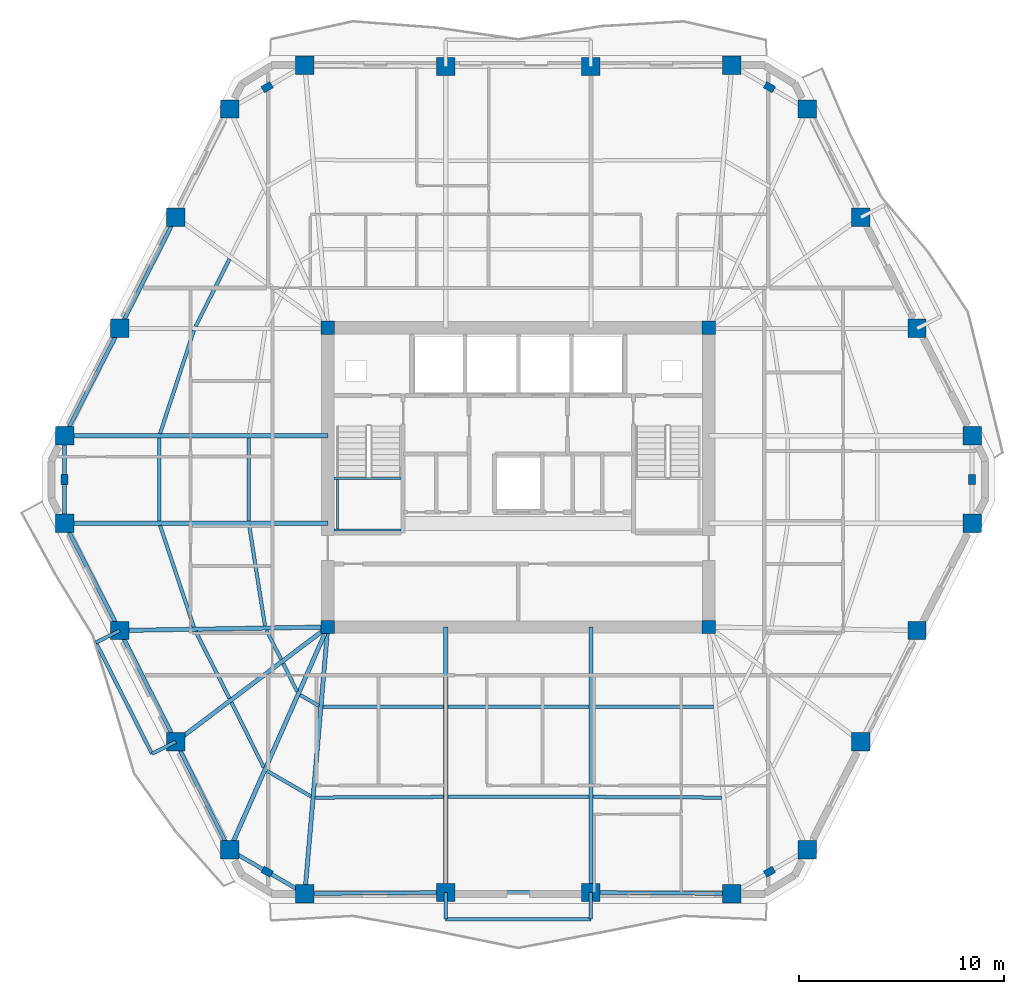
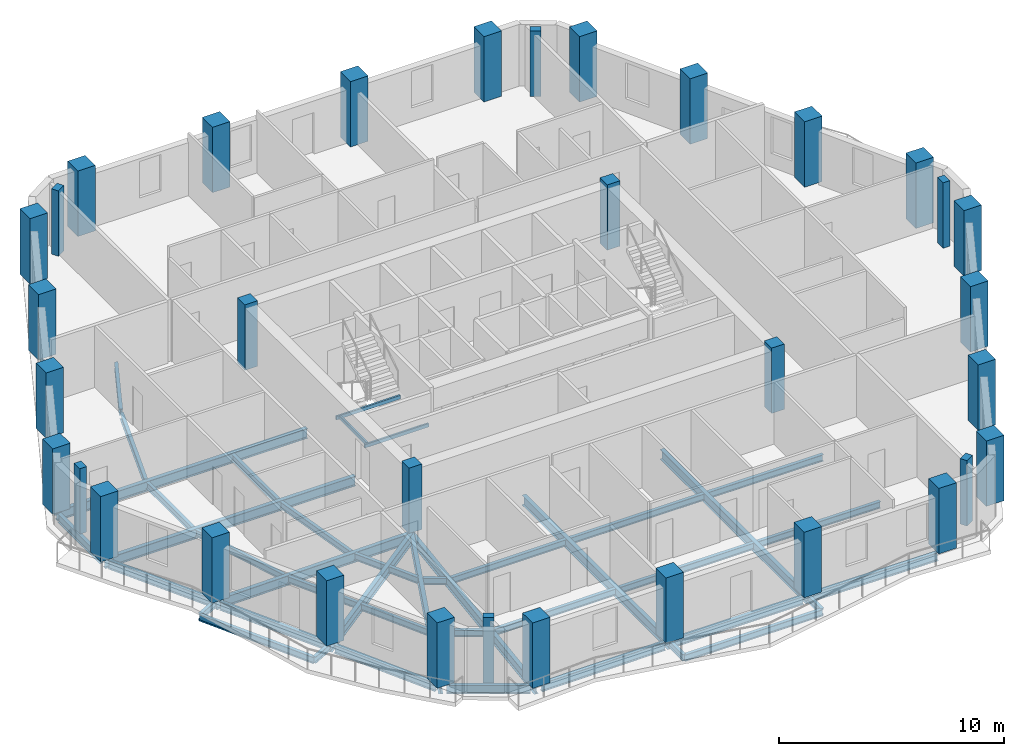
# One storey, part 1 of 11: 45 beams, 34 columns.
"""IFC4 building model written with IfcOpenShell, lengths in metres."""

from ifc_helpers import new_model, si_unit, direction, frame, origin, origin_2d, place, context, subcontext, project, spatial, rectangle, hollow_rectangle, i_section, extrude, material, material_profile, profile_set, type_object, element, save


model = new_model("IFC4")

# Units and contexts
model_context = context("Model", 3, precision=1e-05, world=origin(), true_north=direction((0.0, 1.0)))
body_context = subcontext(model_context, "Body", "Model", "MODEL_VIEW")
ifc_project = project(units=[si_unit("LENGTHUNIT", "METRE"), si_unit("AREAUNIT", "SQUARE_METRE"), si_unit("VOLUMEUNIT", "CUBIC_METRE"), si_unit("PLANEANGLEUNIT", "RADIAN"), si_unit("MASSUNIT", "GRAM", prefix="KILO")], contexts=[model_context])

# Site, building, storey
site_placement = place(None, origin())
site = spatial("IfcSite", under=ifc_project, at=site_placement, CompositionType="ELEMENT")
building_placement = place(site_placement, origin())
building = spatial("IfcBuilding", under=site, at=building_placement, Name="Cinnabar Lancet Tower", CompositionType="ELEMENT")
storey_placement = place(building_placement, frame((0.0, 0.0, 179.0)))
storey = spatial("IfcBuildingStorey", under=building, at=storey_placement, Name="L47", CompositionType="ELEMENT", Elevation=179.0)

# Columns
ifc_material_1 = material(Name="Concrete C60/75", Category="concrete")
ifc_material_profile_1 = material_profile(ifc_material_1, rectangle(XDim=0.64990234375, YDim=0.64990234375, at=origin_2d()), Name="RC-COL 650x650")
ifc_profile_set_1 = profile_set([ifc_material_profile_1], Name="Concrete C60/75")
column_type_1 = type_object("IfcColumnType", Name="STR-COL-CORE-650", PredefinedType="COLUMN", material=ifc_profile_set_1)
for number, where, z_axis, x_axis, name in (
    (1, (23.10009765625, 18.60009765625, 0.0), (0.0, 0.0, 1.0), (1.0, 0.0, 0.0), "L47 Core Corner Column SW"),
    (2, (41.699951171875, 18.60009765625, 0.0), (0.0, 0.0, 1.0), (1.0, 0.0, 0.0), "L47 Core Corner Column SE"),
    (3, (41.699951171875, 33.199951171875, 0.0), (0.0, 0.0, 1.0), (1.0, 0.0, 0.0), "L47 Core Corner Column NE"),
    (4, (23.10009765625, 33.199951171875, 0.0), (0.0, 0.0, 1.0), (1.0, 0.0, 0.0), "L47 Core Corner Column NW"),
):
    element("IfcColumn", number, at=place(storey_placement, frame(where, z_axis=z_axis, x_axis=x_axis)), inside=storey, type_object=column_type_1, Name=name, PredefinedType="COLUMN", context=body_context, shape_type="SweptSolid", body=[
        extrude(rectangle(XDim=0.64990234375, YDim=0.64990234375, at=origin_2d()), origin(), (0.0, 0.0, 1.0), 3.550048828125),
    ])
ifc_material_2 = material(Name="Concrete C60/75", Category="concrete")
ifc_material_profile_2 = material_profile(ifc_material_2, rectangle(XDim=0.5, YDim=0.35009765625, at=origin_2d()), Name="RC-PIL 500x350")
ifc_profile_set_2 = profile_set([ifc_material_profile_2], Name="Concrete C60/75")
column_type_2 = type_object("IfcColumnType", Name="STR-COL-PIL-500", PredefinedType="PILASTER", material=ifc_profile_set_2)
for number, where, z_axis, x_axis, name in (
    (5, (20.14208984375, 6.654052734375, 0.0), (0.0, 0.0, 1.0), (0.865230187018, -0.501374833306, 0.0), "L47 Chamfered Corner Pilaster 1"),
    (6, (44.657958984375, 6.654052734375, 0.0), (0.0, 0.0, 1.0), (0.865230187018, 0.501374833306, 0.0), "L47 Chamfered Corner Pilaster 2"),
    (7, (54.547119140625, 25.800048828125, 0.0), (0.0, 0.0, 1.0), (0.0, 1.0, 0.0), "L47 Chamfered Corner Pilaster 3"),
    (8, (44.657958984375, 44.947021484375, 0.0), (0.0, 0.0, 1.0), (-0.865230187018, 0.501374833306, 0.0), "L47 Chamfered Corner Pilaster 4"),
    (9, (20.14208984375, 44.947021484375, 0.0), (0.0, 0.0, 1.0), (-0.865230187018, -0.501374833306, 0.0), "L47 Chamfered Corner Pilaster 5"),
    (10, (10.2529296875, 25.800048828125, 0.0), (0.0, 0.0, 1.0), (0.0, -1.0, 0.0), "L47 Chamfered Corner Pilaster 6"),
):
    element("IfcColumn", number, at=place(storey_placement, frame(where, z_axis=z_axis, x_axis=x_axis)), inside=storey, type_object=column_type_2, Name=name, PredefinedType="PILASTER", context=body_context, shape_type="SweptSolid", body=[
        extrude(rectangle(XDim=0.5, YDim=0.35009765625, at=origin_2d()), origin(), (0.0, 0.0, 1.0), 3.550048828125),
    ])
ifc_material_3 = material(Name="Concrete C60/75", Category="concrete")
ifc_material_profile_3 = material_profile(ifc_material_3, rectangle(XDim=0.89990234375, YDim=0.89990234375, at=origin_2d()), Name="RC-COL 900x900")
ifc_profile_set_3 = profile_set([ifc_material_profile_3], Name="Concrete C60/75")
column_type_3 = type_object("IfcColumnType", Name="STR-COL-TUBE-900", PredefinedType="COLUMN", material=ifc_profile_set_3)
for number, where, z_axis, x_axis, name in (
    (11, (21.97900390625, 5.589111328125, 0.0), (0.0, 0.0, 1.0), (1.0, 0.0, 0.0), "L47 Perimeter Tube Column 1"),
    (12, (28.85693359375, 5.64208984375, 0.0), (0.0, 0.0, 1.0), (1.0, 0.0, 0.0), "L47 Perimeter Tube Column 2"),
    (13, (35.943115234375, 5.64208984375, 0.0), (0.0, 0.0, 1.0), (1.0, 0.0, 0.0), "L47 Perimeter Tube Column 3"),
    (14, (42.821044921875, 5.589111328125, 0.0), (0.0, 0.0, 1.0), (1.0, 0.0, 0.0), "L47 Perimeter Tube Column 4"),
    (15, (46.4951171875, 7.718017578125, 0.0), (0.0, 0.0, 1.0), (1.0, 0.0, 0.0), "L47 Perimeter Tube Column 5"),
    (16, (49.118896484375, 13.0009765625, 0.0), (0.0, 0.0, 1.0), (1.0, 0.0, 0.0), "L47 Perimeter Tube Column 6"),
    (17, (51.85791015625, 18.428955078125, 0.0), (0.0, 0.0, 1.0), (1.0, 0.0, 0.0), "L47 Perimeter Tube Column 7"),
    (18, (54.547119140625, 23.66796875, 0.0), (0.0, 0.0, 1.0), (1.0, 0.0, 0.0), "L47 Perimeter Tube Column 8"),
    (19, (54.547119140625, 27.931884765625, 0.0), (0.0, 0.0, 1.0), (1.0, 0.0, 0.0), "L47 Perimeter Tube Column 9"),
    (20, (51.85791015625, 33.1708984375, 0.0), (0.0, 0.0, 1.0), (1.0, 0.0, 0.0), "L47 Perimeter Tube Column 10"),
    (21, (49.118896484375, 38.59912109375, 0.0), (0.0, 0.0, 1.0), (1.0, 0.0, 0.0), "L47 Perimeter Tube Column 11"),
    (22, (46.4951171875, 43.882080078125, 0.0), (0.0, 0.0, 1.0), (1.0, 0.0, 0.0), "L47 Perimeter Tube Column 12"),
    (23, (42.821044921875, 46.010986328125, 0.0), (0.0, 0.0, 1.0), (1.0, 0.0, 0.0), "L47 Perimeter Tube Column 13"),
    (24, (35.943115234375, 45.9580078125, 0.0), (0.0, 0.0, 1.0), (1.0, 0.0, 0.0), "L47 Perimeter Tube Column 14"),
    (25, (28.85693359375, 45.9580078125, 0.0), (0.0, 0.0, 1.0), (1.0, 0.0, 0.0), "L47 Perimeter Tube Column 15"),
    (26, (21.97900390625, 46.010986328125, 0.0), (0.0, 0.0, 1.0), (1.0, 0.0, 0.0), "L47 Perimeter Tube Column 16"),
    (27, (18.304931640625, 43.882080078125, 0.0), (0.0, 0.0, 1.0), (1.0, 0.0, 0.0), "L47 Perimeter Tube Column 17"),
    (28, (15.680908203125, 38.59912109375, 0.0), (0.0, 0.0, 1.0), (1.0, 0.0, 0.0), "L47 Perimeter Tube Column 18"),
    (29, (12.94189453125, 33.1708984375, 0.0), (0.0, 0.0, 1.0), (1.0, 0.0, 0.0), "L47 Perimeter Tube Column 19"),
    (30, (10.2529296875, 27.931884765625, 0.0), (0.0, 0.0, 1.0), (1.0, 0.0, 0.0), "L47 Perimeter Tube Column 20"),
    (31, (10.2529296875, 23.66796875, 0.0), (0.0, 0.0, 1.0), (1.0, 0.0, 0.0), "L47 Perimeter Tube Column 21"),
    (32, (12.94189453125, 18.428955078125, 0.0), (0.0, 0.0, 1.0), (1.0, 0.0, 0.0), "L47 Perimeter Tube Column 22"),
    (33, (15.680908203125, 13.0009765625, 0.0), (0.0, 0.0, 1.0), (1.0, 0.0, 0.0), "L47 Perimeter Tube Column 23"),
    (34, (18.304931640625, 7.718017578125, 0.0), (0.0, 0.0, 1.0), (1.0, 0.0, 0.0), "L47 Perimeter Tube Column 24"),
):
    element("IfcColumn", number, at=place(storey_placement, frame(where, z_axis=z_axis, x_axis=x_axis)), inside=storey, type_object=column_type_3, Name=name, PredefinedType="COLUMN", context=body_context, shape_type="SweptSolid", body=[
        extrude(rectangle(XDim=0.89990234375, YDim=0.89990234375, at=origin_2d()), origin(), (0.0, 0.0, 1.0), 3.550048828125),
    ])

# Beams
ifc_material_4 = material(Name="Structural steel S355", Category="steel")
ifc_material_profile_4 = material_profile(ifc_material_4, i_section(OverallWidth=0.17138671875, OverallDepth=0.35498046875, WebThickness=0.00732421875, FlangeThickness=0.011474609375, FilletRadius=0.01025390625, at=origin_2d()), Name="UKB 356x171x51")
ifc_profile_set_4 = profile_set([ifc_material_profile_4], Name="Structural steel S355")
beam_type_1 = type_object("IfcBeamType", Name="STR-BM-JST-356", PredefinedType="JOIST", material=ifc_profile_set_4)
beam_1_placement = place(storey_placement, frame((14.9130859375, 23.56298828125, -0.376953125), z_axis=(0.315346227037, -0.948976689436, 0.0), x_axis=(0.948976689436, 0.315346227037, 0.0)))
element("IfcBeam", 35, at=beam_1_placement, inside=storey, type_object=beam_type_1, Name="L47 Secondary Floor Joist 1", PredefinedType="JOIST", context=body_context, shape_type="SweptSolid", body=[
    extrude(i_section(OverallWidth=0.17138671875, OverallDepth=0.35498046875, WebThickness=0.00732421875, FlangeThickness=0.011474609375, FilletRadius=0.01025390625, at=origin_2d()), origin(), (0.0, 0.0, 1.0), 5.235107421875),
])
beam_2_placement = place(storey_placement, frame((19.261962890625, 23.56298828125, -0.376953125), z_axis=(0.155702775827, -0.987803950994, 0.0), x_axis=(0.987803950994, 0.155702775827, 0.0)))
element("IfcBeam", 36, at=beam_2_placement, inside=storey, type_object=beam_type_1, Name="L47 Secondary Floor Joist 2", PredefinedType="JOIST", context=body_context, shape_type="SweptSolid", body=[
    extrude(i_section(OverallWidth=0.17138671875, OverallDepth=0.35498046875, WebThickness=0.00732421875, FlangeThickness=0.011474609375, FilletRadius=0.01025390625, at=origin_2d()), origin(), (0.0, 0.0, 1.0), 4.970458984375),
])
beam_3_placement = place(storey_placement, frame((16.65087890625, 18.386962890625, -0.376953125), z_axis=(0.45061776862, -0.892716991327, 0.0), x_axis=(0.892716991327, 0.45061776862, 0.0)))
element("IfcBeam", 37, at=beam_3_placement, inside=storey, type_object=beam_type_1, Name="L47 Secondary Floor Joist 3", PredefinedType="JOIST", context=body_context, shape_type="SweptSolid", body=[
    extrude(i_section(OverallWidth=0.17138671875, OverallDepth=0.35498046875, WebThickness=0.00732421875, FlangeThickness=0.011474609375, FilletRadius=0.01025390625, at=origin_2d()), origin(), (0.0, 0.0, 1.0), 3.66845703125),
])
beam_4_placement = place(storey_placement, frame((20.10498046875, 18.445068359375, -0.376953125), z_axis=(0.450137936259, -0.892959035085, 0.0), x_axis=(0.892959035085, 0.450137936259, 0.0)))
element("IfcBeam", 38, at=beam_4_placement, inside=storey, type_object=beam_type_1, Name="L47 Secondary Floor Joist 4", PredefinedType="JOIST", context=body_context, shape_type="SweptSolid", body=[
    extrude(i_section(OverallWidth=0.17138671875, OverallDepth=0.35498046875, WebThickness=0.00732421875, FlangeThickness=0.011474609375, FilletRadius=0.01025390625, at=origin_2d()), origin(), (0.0, 0.0, 1.0), 1.6015625),
])
beam_5_placement = place(storey_placement, frame((18.39892578125, 14.9208984375, -0.376953125), z_axis=(0.445083338565, -0.895489152214, 0.0), x_axis=(0.895489152214, 0.445083338565, 0.0)))
element("IfcBeam", 39, at=beam_5_placement, inside=storey, type_object=beam_type_1, Name="L47 Secondary Floor Joist 5", PredefinedType="JOIST", context=body_context, shape_type="SweptSolid", body=[
    extrude(i_section(OverallWidth=0.17138671875, OverallDepth=0.35498046875, WebThickness=0.00732421875, FlangeThickness=0.011474609375, FilletRadius=0.01025390625, at=origin_2d()), origin(), (0.0, 0.0, 1.0), 3.531982421875),
])
beam_6_placement = place(storey_placement, frame((20.922119140625, 16.824951171875, -0.376953125), z_axis=(0.444589856968, -0.895734256954, 0.0), x_axis=(0.895734256954, 0.444589856968, 0.0)))
element("IfcBeam", 40, at=beam_6_placement, inside=storey, type_object=beam_type_1, Name="L47 Secondary Floor Joist 6", PredefinedType="JOIST", context=body_context, shape_type="SweptSolid", body=[
    extrude(i_section(OverallWidth=0.17138671875, OverallDepth=0.35498046875, WebThickness=0.00732421875, FlangeThickness=0.011474609375, FilletRadius=0.01025390625, at=origin_2d()), origin(), (0.0, 0.0, 1.0), 1.527099609375),
])
beam_7_placement = place(storey_placement, frame((20.1220703125, 11.5830078125, -0.376953125), z_axis=(0.865267839663, -0.501309849937, 0.0), x_axis=(0.501309849937, 0.865267839663, 0.0)))
element("IfcBeam", 41, at=beam_7_placement, inside=storey, type_object=beam_type_1, Name="L47 Secondary Floor Joist 7", PredefinedType="JOIST", context=body_context, shape_type="SweptSolid", body=[
    extrude(i_section(OverallWidth=0.17138671875, OverallDepth=0.35498046875, WebThickness=0.00732421875, FlangeThickness=0.011474609375, FilletRadius=0.01025390625, at=origin_2d()), origin(), (0.0, 0.0, 1.0), 2.497314453125),
])
beam_8_placement = place(storey_placement, frame((21.7529296875, 15.282958984375, -0.376953125), z_axis=(0.8651881055, -0.501447446998, 0.0), x_axis=(0.501447446998, 0.8651881055, 0.0)))
element("IfcBeam", 42, at=beam_8_placement, inside=storey, type_object=beam_type_1, Name="L47 Secondary Floor Joist 8", PredefinedType="JOIST", context=body_context, shape_type="SweptSolid", body=[
    extrude(i_section(OverallWidth=0.17138671875, OverallDepth=0.35498046875, WebThickness=0.00732421875, FlangeThickness=0.011474609375, FilletRadius=0.01025390625, at=origin_2d()), origin(), (0.0, 0.0, 1.0), 1.05322265625),
])
beam_9_placement = place(storey_placement, frame((22.488037109375, 10.27392578125, -0.376953125), z_axis=(0.999986965561, 0.005105752523, 0.0), x_axis=(-0.005105752523, 0.999986965561, 0.0)))
element("IfcBeam", 43, at=beam_9_placement, inside=storey, type_object=beam_type_1, Name="L47 Secondary Floor Joist 9", PredefinedType="JOIST", context=body_context, shape_type="SweptSolid", body=[
    extrude(i_section(OverallWidth=0.17138671875, OverallDepth=0.35498046875, WebThickness=0.00732421875, FlangeThickness=0.011474609375, FilletRadius=0.01025390625, at=origin_2d()), origin(), (0.0, 0.0, 1.0), 6.263916015625),
])
beam_10_placement = place(storey_placement, frame((22.868896484375, 14.697021484375, -0.376953125), z_axis=(0.999996795933, 0.002531427338, 0.0), x_axis=(-0.002531427338, 0.999996795933, 0.0)))
element("IfcBeam", 44, at=beam_10_placement, inside=storey, type_object=beam_type_1, Name="L47 Secondary Floor Joist 10", PredefinedType="JOIST", context=body_context, shape_type="SweptSolid", body=[
    extrude(i_section(OverallWidth=0.17138671875, OverallDepth=0.35498046875, WebThickness=0.00732421875, FlangeThickness=0.011474609375, FilletRadius=0.01025390625, at=origin_2d()), origin(), (0.0, 0.0, 1.0), 5.883056640625),
])
for number, where, z_axis, x_axis, name in (
    (45, (28.9619140625, 10.306884765625, -0.376953125), (1.0, 0.0, 0.0), (0.0, 1.0, 0.0), "L47 Secondary Floor Joist 11"),
    (46, (28.9619140625, 14.712890625, -0.376953125), (1.0, 0.0, 0.0), (0.0, 1.0, 0.0), "L47 Secondary Floor Joist 12"),
):
    element("IfcBeam", number, at=place(storey_placement, frame(where, z_axis=z_axis, x_axis=x_axis)), inside=storey, type_object=beam_type_1, Name=name, PredefinedType="JOIST", context=body_context, shape_type="SweptSolid", body=[
        extrude(i_section(OverallWidth=0.17138671875, OverallDepth=0.35498046875, WebThickness=0.00732421875, FlangeThickness=0.011474609375, FilletRadius=0.01025390625, at=origin_2d()), origin(), (0.0, 0.0, 1.0), 6.8759765625),
    ])
beam_11_placement = place(storey_placement, frame((36.048095703125, 10.305908203125, -0.376953125), z_axis=(0.999986965561, -0.005105752523, 0.0), x_axis=(0.005105752523, 0.999986965561, 0.0)))
element("IfcBeam", 47, at=beam_11_placement, inside=storey, type_object=beam_type_1, Name="L47 Secondary Floor Joist 13", PredefinedType="JOIST", context=body_context, shape_type="SweptSolid", body=[
    extrude(i_section(OverallWidth=0.17138671875, OverallDepth=0.35498046875, WebThickness=0.00732421875, FlangeThickness=0.011474609375, FilletRadius=0.01025390625, at=origin_2d()), origin(), (0.0, 0.0, 1.0), 6.263916015625),
])
beam_12_placement = place(storey_placement, frame((36.048095703125, 14.7119140625, -0.376953125), z_axis=(0.999996795667, -0.002531532393, 0.0), x_axis=(0.002531532393, 0.999996795667, 0.0)))
element("IfcBeam", 48, at=beam_12_placement, inside=storey, type_object=beam_type_1, Name="L47 Secondary Floor Joist 14", PredefinedType="JOIST", context=body_context, shape_type="SweptSolid", body=[
    extrude(i_section(OverallWidth=0.17138671875, OverallDepth=0.35498046875, WebThickness=0.00732421875, FlangeThickness=0.011474609375, FilletRadius=0.01025390625, at=origin_2d()), origin(), (0.0, 0.0, 1.0), 5.8828125),
])
beam_13_placement = place(storey_placement, frame((18.303955078125, 36.56103515625, -0.376953125), z_axis=(-0.449230875134, -0.893415704376, 0.0), x_axis=(0.893415704376, -0.449230875134, 0.0)))
element("IfcBeam", 49, at=beam_13_placement, inside=storey, type_object=beam_type_1, Name="L47 Secondary Floor Joist 43", PredefinedType="JOIST", context=body_context, shape_type="SweptSolid", body=[
    extrude(i_section(OverallWidth=0.17138671875, OverallDepth=0.35498046875, WebThickness=0.00732421875, FlangeThickness=0.011474609375, FilletRadius=0.01025390625, at=origin_2d()), origin(), (0.0, 0.0, 1.0), 3.677001953125),
])
beam_14_placement = place(storey_placement, frame((16.56494140625, 33.06591796875, -0.376953125), z_axis=(-0.312240109925, -0.95000321776, 0.0), x_axis=(0.95000321776, -0.312240109925, 0.0)))
element("IfcBeam", 50, at=beam_14_placement, inside=storey, type_object=beam_type_1, Name="L47 Secondary Floor Joist 45", PredefinedType="JOIST", context=body_context, shape_type="SweptSolid", body=[
    extrude(i_section(OverallWidth=0.17138671875, OverallDepth=0.35498046875, WebThickness=0.00732421875, FlangeThickness=0.011474609375, FilletRadius=0.01025390625, at=origin_2d()), origin(), (0.0, 0.0, 1.0), 5.29345703125),
])
for number, where, z_axis, x_axis, name in (
    (51, (14.8779296875, 27.826904296875, -0.376953125), (0.0, -1.0, 0.0), (1.0, 0.0, 0.0), "L47 Secondary Floor Joist 47"),
    (52, (19.24609375, 27.826904296875, -0.376953125), (0.0, -1.0, 0.0), (1.0, 0.0, 0.0), "L47 Secondary Floor Joist 48"),
):
    element("IfcBeam", number, at=place(storey_placement, frame(where, z_axis=z_axis, x_axis=x_axis)), inside=storey, type_object=beam_type_1, Name=name, PredefinedType="JOIST", context=body_context, shape_type="SweptSolid", body=[
        extrude(i_section(OverallWidth=0.17138671875, OverallDepth=0.35498046875, WebThickness=0.00732421875, FlangeThickness=0.011474609375, FilletRadius=0.01025390625, at=origin_2d()), origin(), (0.0, 0.0, 1.0), 4.053955078125),
    ])
ifc_material_5 = material(Name="Structural steel S355", Category="steel")
ifc_material_profile_5 = material_profile(ifc_material_5, hollow_rectangle(XDim=0.10009765625, YDim=0.199951171875, WallThickness=0.008056640625, InnerFilletRadius=0.00390625, OuterFilletRadius=0.011962890625, at=origin_2d()), Name="RHS 200x100x8")
ifc_profile_set_5 = profile_set([ifc_material_profile_5], Name="Structural steel S355")
beam_type_2 = type_object("IfcBeamType", Name="STR-BM-LND-203", PredefinedType="BEAM", material=ifc_profile_set_5)
for number, where, z_axis, x_axis, name in (
    (53, (23.39990234375, 23.330078125, 1.47509765625), (1.0, 0.0, 0.0), (0.0, 1.0, 0.0), "L47 ST-1-L47 Landing Support Beam S"),
    (54, (23.39990234375, 25.844970703125, 1.47509765625), (1.0, 0.0, 0.0), (0.0, 1.0, 0.0), "L47 ST-1-L47 Landing Support Beam N"),
):
    element("IfcBeam", number, at=place(storey_placement, frame(where, z_axis=z_axis, x_axis=x_axis)), inside=storey, type_object=beam_type_2, Name=name, PredefinedType="BEAM", context=body_context, shape_type="SweptSolid", body=[
        extrude(hollow_rectangle(XDim=0.10009765625, YDim=0.199951171875, WallThickness=0.008056640625, InnerFilletRadius=0.00390625, OuterFilletRadius=0.011962890625, at=origin_2d()), origin(), (0.0, 0.0, 1.0), 3.280029296875),
    ])
beam_15_placement = place(storey_placement, frame((23.580078125, 23.3798828125, 1.47509765625), z_axis=(0.0, 1.0, 0.0), x_axis=(-1.0, 0.0, 0.0)))
element("IfcBeam", 55, at=beam_15_placement, inside=storey, type_object=beam_type_2, Name="L47 ST-1-L47 Landing Side Trimmer Beam", PredefinedType="BEAM", context=body_context, shape_type="SweptSolid", body=[
    extrude(hollow_rectangle(XDim=0.10009765625, YDim=0.199951171875, WallThickness=0.008056640625, InnerFilletRadius=0.00390625, OuterFilletRadius=0.011962890625, at=origin_2d()), origin(), (0.0, 0.0, 1.0), 2.4150390625),
])
ifc_material_6 = material(Name="Structural steel S355", Category="steel")
ifc_material_profile_6 = material_profile(ifc_material_6, i_section(OverallWidth=0.1904296875, OverallDepth=0.45703125, WebThickness=0.009033203125, FlangeThickness=0.014404296875, FilletRadius=0.01025390625, at=origin_2d()), Name="UKB 457x191x74")
ifc_profile_set_6 = profile_set([ifc_material_profile_6], Name="Structural steel S355")
beam_type_3 = type_object("IfcBeamType", Name="STR-BM-SPN-457", PredefinedType="SPANDREL", material=ifc_profile_set_6)
beam_16_placement = place(storey_placement, frame((22.22900390625, 5.591064453125, -0.427978515625), z_axis=(0.999970695686, 0.007655571089, 0.0), x_axis=(-0.007655571089, 0.999970695686, 0.0)))
element("IfcBeam", 56, at=beam_16_placement, inside=storey, type_object=beam_type_3, Name="L47 Perimeter Spandrel 1", PredefinedType="SPANDREL", context=body_context, shape_type="SweptSolid", body=[
    extrude(i_section(OverallWidth=0.1904296875, OverallDepth=0.45703125, WebThickness=0.009033203125, FlangeThickness=0.014404296875, FilletRadius=0.01025390625, at=origin_2d()), origin(), (0.0, 0.0, 1.0), 6.378173828125),
])
beam_17_placement = place(storey_placement, frame((29.10693359375, 5.64208984375, -0.427978515625), z_axis=(1.0, 0.0, 0.0), x_axis=(0.0, 1.0, 0.0)))
element("IfcBeam", 57, at=beam_17_placement, inside=storey, type_object=beam_type_3, Name="L47 Perimeter Spandrel 2", PredefinedType="SPANDREL", context=body_context, shape_type="SweptSolid", body=[
    extrude(i_section(OverallWidth=0.1904296875, OverallDepth=0.45703125, WebThickness=0.009033203125, FlangeThickness=0.014404296875, FilletRadius=0.01025390625, at=origin_2d()), origin(), (0.0, 0.0, 1.0), 6.586181640625),
])
beam_18_placement = place(storey_placement, frame((36.193115234375, 5.639892578125, -0.427978515625), z_axis=(0.999970695686, -0.007655571089, 0.0), x_axis=(0.007655571089, 0.999970695686, 0.0)))
element("IfcBeam", 58, at=beam_18_placement, inside=storey, type_object=beam_type_3, Name="L47 Perimeter Spandrel 3", PredefinedType="SPANDREL", context=body_context, shape_type="SweptSolid", body=[
    extrude(i_section(OverallWidth=0.1904296875, OverallDepth=0.45703125, WebThickness=0.009033203125, FlangeThickness=0.014404296875, FilletRadius=0.01025390625, at=origin_2d()), origin(), (0.0, 0.0, 1.0), 6.378173828125),
])
beam_19_placement = place(storey_placement, frame((15.568115234375, 38.3759765625, -0.427978515625), z_axis=(-0.450395996562, -0.892828900899, 0.0), x_axis=(0.892828900899, -0.450395996562, 0.0)))
element("IfcBeam", 59, at=beam_19_placement, inside=storey, type_object=beam_type_3, Name="L47 Perimeter Spandrel 18", PredefinedType="SPANDREL", context=body_context, shape_type="SweptSolid", body=[
    extrude(i_section(OverallWidth=0.1904296875, OverallDepth=0.45703125, WebThickness=0.009033203125, FlangeThickness=0.014404296875, FilletRadius=0.01025390625, at=origin_2d()), origin(), (0.0, 0.0, 1.0), 5.579833984375),
])
beam_20_placement = place(storey_placement, frame((12.827880859375, 32.948974609375, -0.427978515625), z_axis=(-0.456610910924, -0.889666497079, 0.0), x_axis=(0.889666497079, -0.456610910924, 0.0)))
element("IfcBeam", 60, at=beam_20_placement, inside=storey, type_object=beam_type_3, Name="L47 Perimeter Spandrel 19", PredefinedType="SPANDREL", context=body_context, shape_type="SweptSolid", body=[
    extrude(i_section(OverallWidth=0.1904296875, OverallDepth=0.45703125, WebThickness=0.009033203125, FlangeThickness=0.014404296875, FilletRadius=0.01025390625, at=origin_2d()), origin(), (0.0, 0.0, 1.0), 5.3896484375),
])
beam_21_placement = place(storey_placement, frame((10.2529296875, 27.681884765625, -0.427978515625), z_axis=(0.0, -1.0, 0.0), x_axis=(1.0, 0.0, 0.0)))
element("IfcBeam", 61, at=beam_21_placement, inside=storey, type_object=beam_type_3, Name="L47 Perimeter Spandrel 20", PredefinedType="SPANDREL", context=body_context, shape_type="SweptSolid", body=[
    extrude(i_section(OverallWidth=0.1904296875, OverallDepth=0.45703125, WebThickness=0.009033203125, FlangeThickness=0.014404296875, FilletRadius=0.01025390625, at=origin_2d()), origin(), (0.0, 0.0, 1.0), 3.763916015625),
])
beam_22_placement = place(storey_placement, frame((10.366943359375, 23.446044921875, -0.427978515625), z_axis=(0.456592509812, -0.889675940994, 0.0), x_axis=(0.889675940994, 0.456592509812, 0.0)))
element("IfcBeam", 62, at=beam_22_placement, inside=storey, type_object=beam_type_3, Name="L47 Perimeter Spandrel 21", PredefinedType="SPANDREL", context=body_context, shape_type="SweptSolid", body=[
    extrude(i_section(OverallWidth=0.1904296875, OverallDepth=0.45703125, WebThickness=0.009033203125, FlangeThickness=0.014404296875, FilletRadius=0.01025390625, at=origin_2d()), origin(), (0.0, 0.0, 1.0), 5.389892578125),
])
beam_23_placement = place(storey_placement, frame((13.054931640625, 18.2060546875, -0.427978515625), z_axis=(0.450395996562, -0.892828900899, 0.0), x_axis=(0.892828900899, 0.450395996562, 0.0)))
element("IfcBeam", 63, at=beam_23_placement, inside=storey, type_object=beam_type_3, Name="L47 Perimeter Spandrel 22", PredefinedType="SPANDREL", context=body_context, shape_type="SweptSolid", body=[
    extrude(i_section(OverallWidth=0.1904296875, OverallDepth=0.45703125, WebThickness=0.009033203125, FlangeThickness=0.014404296875, FilletRadius=0.01025390625, at=origin_2d()), origin(), (0.0, 0.0, 1.0), 5.579833984375),
])
beam_24_placement = place(storey_placement, frame((15.7919921875, 12.777099609375, -0.427978515625), z_axis=(0.444914968367, -0.895572817208, 0.0), x_axis=(0.895572817208, 0.444914968367, 0.0)))
element("IfcBeam", 64, at=beam_24_placement, inside=storey, type_object=beam_type_3, Name="L47 Perimeter Spandrel 23", PredefinedType="SPANDREL", context=body_context, shape_type="SweptSolid", body=[
    extrude(i_section(OverallWidth=0.1904296875, OverallDepth=0.45703125, WebThickness=0.009033203125, FlangeThickness=0.014404296875, FilletRadius=0.01025390625, at=origin_2d()), origin(), (0.0, 0.0, 1.0), 5.39892578125),
])
beam_25_placement = place(storey_placement, frame((18.52099609375, 7.593017578125, -0.427978515625), z_axis=(0.865195717586, -0.501434313016, 0.0), x_axis=(0.501434313016, 0.865195717586, 0.0)))
element("IfcBeam", 65, at=beam_25_placement, inside=storey, type_object=beam_type_3, Name="L47 Perimeter Spandrel 24", PredefinedType="SPANDREL", context=body_context, shape_type="SweptSolid", body=[
    extrude(i_section(OverallWidth=0.1904296875, OverallDepth=0.45703125, WebThickness=0.009033203125, FlangeThickness=0.014404296875, FilletRadius=0.01025390625, at=origin_2d()), origin(), (0.0, 0.0, 1.0), 3.7470703125),
])
ifc_material_7 = material(Name="Structural steel S355", Category="steel")
ifc_material_profile_7 = material_profile(ifc_material_7, i_section(OverallWidth=0.209228515625, OverallDepth=0.533203125, WebThickness=0.010009765625, FlangeThickness=0.015625, FilletRadius=0.0126953125, at=origin_2d()), Name="UKB 533x210x92")
ifc_profile_set_7 = profile_set([ifc_material_profile_7], Name="Structural steel S355")
beam_type_4 = type_object("IfcBeamType", Name="STR-BM-UKB533-92", PredefinedType="BEAM", material=ifc_profile_set_7)
beam_26_placement = place(storey_placement, frame((15.680908203125, 13.0009765625, -0.467041015625), z_axis=(0.798202971293, 0.602388592703, 0.0), x_axis=(-0.602388592703, 0.798202971293, 0.0)))
element("IfcBeam", 66, at=beam_26_placement, inside=storey, type_object=beam_type_4, Name="L47 Corner Collector Girder 1", PredefinedType="BEAM", context=body_context, shape_type="SweptSolid", body=[
    extrude(i_section(OverallWidth=0.209228515625, OverallDepth=0.533203125, WebThickness=0.010009765625, FlangeThickness=0.015625, FilletRadius=0.0126953125, at=origin_2d()), origin(), (0.0, 0.0, 1.0), 9.294921875),
])
beam_27_placement = place(storey_placement, frame((21.97900390625, 5.589111328125, -0.467041015625), z_axis=(0.085847068729, 0.996308326167, 0.0), x_axis=(-0.996308326167, 0.085847068729, 0.0)))
element("IfcBeam", 67, at=beam_27_placement, inside=storey, type_object=beam_type_4, Name="L47 Primary Floor Girder 1", PredefinedType="BEAM", context=body_context, shape_type="SweptSolid", body=[
    extrude(i_section(OverallWidth=0.209228515625, OverallDepth=0.533203125, WebThickness=0.010009765625, FlangeThickness=0.015625, FilletRadius=0.0126953125, at=origin_2d()), origin(), (0.0, 0.0, 1.0), 13.05908203125),
])
for number, where, z_axis, x_axis, name in (
    (68, (28.85693359375, 5.64208984375, -0.467041015625), (0.0, 1.0, 0.0), (-1.0, 0.0, 0.0), "L47 Primary Floor Girder 2"),
    (69, (35.943115234375, 5.64208984375, -0.467041015625), (0.0, 1.0, 0.0), (-1.0, 0.0, 0.0), "L47 Primary Floor Girder 3"),
):
    element("IfcBeam", number, at=place(storey_placement, frame(where, z_axis=z_axis, x_axis=x_axis)), inside=storey, type_object=beam_type_4, Name=name, PredefinedType="BEAM", context=body_context, shape_type="SweptSolid", body=[
        extrude(i_section(OverallWidth=0.209228515625, OverallDepth=0.533203125, WebThickness=0.010009765625, FlangeThickness=0.015625, FilletRadius=0.0126953125, at=origin_2d()), origin(), (0.0, 0.0, 1.0), 12.9580078125),
    ])
for number, where, z_axis, x_axis, name in (
    (70, (10.2529296875, 27.931884765625, -0.467041015625), (1.0, 0.0, 0.0), (0.0, 1.0, 0.0), "L47 Primary Floor Girder 20"),
    (71, (10.2529296875, 23.66796875, -0.467041015625), (1.0, 0.0, 0.0), (0.0, 1.0, 0.0), "L47 Primary Floor Girder 21"),
):
    element("IfcBeam", number, at=place(storey_placement, frame(where, z_axis=z_axis, x_axis=x_axis)), inside=storey, type_object=beam_type_4, Name=name, PredefinedType="BEAM", context=body_context, shape_type="SweptSolid", body=[
        extrude(i_section(OverallWidth=0.209228515625, OverallDepth=0.533203125, WebThickness=0.010009765625, FlangeThickness=0.015625, FilletRadius=0.0126953125, at=origin_2d()), origin(), (0.0, 0.0, 1.0), 12.84716796875),
    ])
beam_28_placement = place(storey_placement, frame((12.94189453125, 18.428955078125, -0.467041015625), z_axis=(0.999858107345, 0.016845331024, 0.0), x_axis=(-0.016845331024, 0.999858107345, 0.0)))
element("IfcBeam", 72, at=beam_28_placement, inside=storey, type_object=beam_type_4, Name="L47 Primary Floor Girder 22", PredefinedType="BEAM", context=body_context, shape_type="SweptSolid", body=[
    extrude(i_section(OverallWidth=0.209228515625, OverallDepth=0.533203125, WebThickness=0.010009765625, FlangeThickness=0.015625, FilletRadius=0.0126953125, at=origin_2d()), origin(), (0.0, 0.0, 1.0), 10.15966796875),
])
beam_29_placement = place(storey_placement, frame((18.304931640625, 7.718017578125, -0.467041015625), z_axis=(0.403235299754, 0.915096329919, 0.0), x_axis=(-0.915096329919, 0.403235299754, 0.0)))
element("IfcBeam", 73, at=beam_29_placement, inside=storey, type_object=beam_type_4, Name="L47 Primary Floor Girder 24", PredefinedType="BEAM", context=body_context, shape_type="SweptSolid", body=[
    extrude(i_section(OverallWidth=0.209228515625, OverallDepth=0.533203125, WebThickness=0.010009765625, FlangeThickness=0.015625, FilletRadius=0.0126953125, at=origin_2d()), origin(), (0.0, 0.0, 1.0), 11.891845703125),
])
ifc_material_8 = material(Name="Structural steel S355", Category="steel")
ifc_material_profile_8 = material_profile(ifc_material_8, i_section(OverallWidth=0.17138671875, OverallDepth=0.35498046875, WebThickness=0.00732421875, FlangeThickness=0.011474609375, FilletRadius=0.01025390625, at=origin_2d()), Name="UKB 356x171x51")
ifc_profile_set_8 = profile_set([ifc_material_profile_8], Name="Structural steel S355")
beam_type_5 = type_object("IfcBeamType", Name="STR-BM-WAV-OUT", PredefinedType="BEAM", material=ifc_profile_set_8)
for number, where, z_axis, x_axis, name in (
    (74, (28.85693359375, 5.64208984375, -0.39794921875), (0.0, -1.0, 0.0), (1.0, 0.0, 0.0), "L47 Face 1 Balcony Outlooker A"),
    (75, (35.943115234375, 5.64208984375, -0.39794921875), (0.0, -1.0, 0.0), (1.0, 0.0, 0.0), "L47 Face 1 Balcony Outlooker B"),
    (76, (12.94189453125, 18.428955078125, -0.39794921875), (-0.89227592947, -0.451490493464, 0.0), (0.451490493464, -0.89227592947, 0.0), "L47 Face 6 Balcony Outlooker A"),
    (77, (15.680908203125, 13.0009765625, -0.39794921875), (-0.89227592947, -0.451490493464, 0.0), (0.451490493464, -0.89227592947, 0.0), "L47 Face 6 Balcony Outlooker B"),
):
    element("IfcBeam", number, at=place(storey_placement, frame(where, z_axis=z_axis, x_axis=x_axis)), inside=storey, type_object=beam_type_5, Name=name, PredefinedType="BEAM", context=body_context, shape_type="SweptSolid", body=[
        extrude(i_section(OverallWidth=0.17138671875, OverallDepth=0.35498046875, WebThickness=0.00732421875, FlangeThickness=0.011474609375, FilletRadius=0.01025390625, at=origin_2d()), origin(), (0.0, 0.0, 1.0), 1.300048828125),
    ])
ifc_material_9 = material(Name="Structural steel S355", Category="steel")
ifc_material_profile_9 = material_profile(ifc_material_9, i_section(OverallWidth=0.17138671875, OverallDepth=0.35498046875, WebThickness=0.00732421875, FlangeThickness=0.011474609375, FilletRadius=0.01025390625, at=origin_2d()), Name="UKB 356x171x51")
ifc_profile_set_9 = profile_set([ifc_material_profile_9], Name="Structural steel S355")
beam_type_6 = type_object("IfcBeamType", Name="STR-BM-WAV-TRIM", PredefinedType="SPANDREL", material=ifc_profile_set_9)
beam_30_placement = place(storey_placement, frame((28.85693359375, 4.342041015625, -0.39794921875), z_axis=(1.0, 0.0, 0.0), x_axis=(0.0, 1.0, 0.0)))
element("IfcBeam", 78, at=beam_30_placement, inside=storey, type_object=beam_type_6, Name="L47 Face 1 Balcony Edge Trimmer", PredefinedType="SPANDREL", context=body_context, shape_type="SweptSolid", body=[
    extrude(i_section(OverallWidth=0.17138671875, OverallDepth=0.35498046875, WebThickness=0.00732421875, FlangeThickness=0.011474609375, FilletRadius=0.01025390625, at=origin_2d()), origin(), (0.0, 0.0, 1.0), 7.086181640625),
])
beam_31_placement = place(storey_placement, frame((11.781982421875, 17.842041015625, -0.39794921875), z_axis=(0.450503306898, -0.892774759093, 0.0), x_axis=(0.892774759093, 0.450503306898, 0.0)))
element("IfcBeam", 79, at=beam_31_placement, inside=storey, type_object=beam_type_6, Name="L47 Face 6 Balcony Edge Trimmer", PredefinedType="SPANDREL", context=body_context, shape_type="SweptSolid", body=[
    extrude(i_section(OverallWidth=0.17138671875, OverallDepth=0.35498046875, WebThickness=0.00732421875, FlangeThickness=0.011474609375, FilletRadius=0.01025390625, at=origin_2d()), origin(), (0.0, 0.0, 1.0), 6.079833984375),
])

save(model, "model.ifc")
